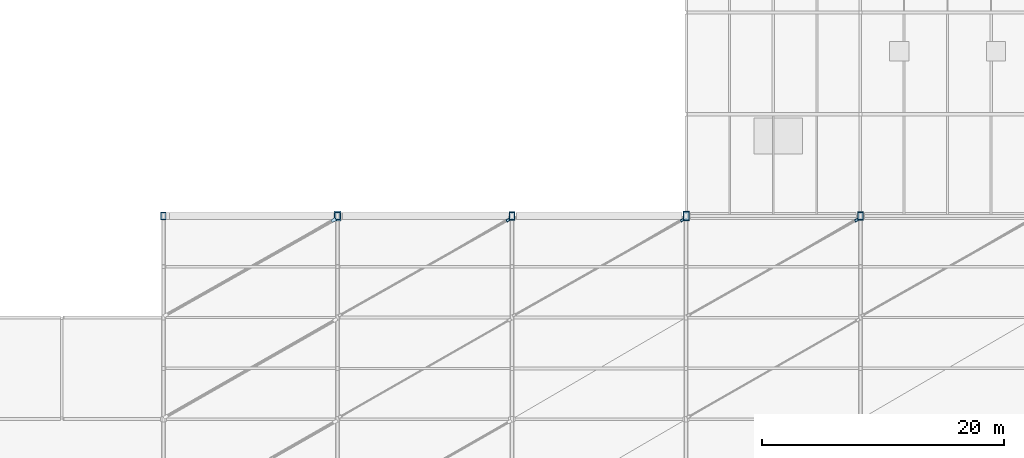
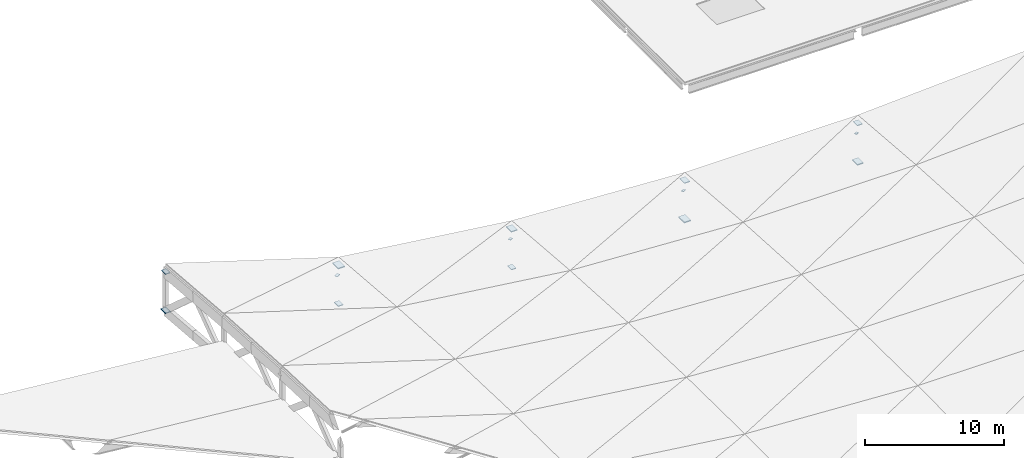
# One storey, part 18 of 22: 14 plates.
"""IFC4 building model written with IfcOpenShell, lengths in metres."""

import ifcopenshell
import ifcopenshell.guid

model = None  # the IFC model being written
_history = None  # IfcOwnerHistory: only IFC2X3 demands one
_inside = {}  # id of a spatial element -> (the spatial element, [elements in it])
_under = {}  # id of a project, library or spatial element -> (it, [spatial elements below it])
_declared = {}  # id of a project -> (the project, [libraries it declares])
_typed = {}  # id of a type object -> (the type object, [elements of that type])
_made_of = {}  # id of a material, layer set ... -> (it, [elements and type objects made of it])


def new_model(schema):
    """Start an empty IFC model of exactly this schema.

    Asked for "IFC4X3", IfcOpenShell would pick the latest addendum, in which some entities
    have other attributes; the version numbers below select the first issue.
    IFC2X3 requires an IfcOwnerHistory on every rooted entity: one is made here for all.
    """
    global model, _history
    if schema == "IFC4X3":
        model = ifcopenshell.file(schema_version=(4, 3, 0, 0))
    else:
        model = ifcopenshell.file(schema=schema)
    _inside.clear()
    _under.clear()
    _declared.clear()
    _typed.clear()
    _made_of.clear()
    _history = None
    if model.schema == "IFC2X3":
        org = make("IfcOrganization", Name="unknown")
        user = make(
            "IfcPersonAndOrganization",
            ThePerson=make("IfcPerson", FamilyName="unknown"),
            TheOrganization=org,
        )
        app = make(
            "IfcApplication",
            ApplicationDeveloper=org,
            Version="unknown",
            ApplicationFullName="unknown",
            ApplicationIdentifier="unknown",
        )
        _history = make(
            "IfcOwnerHistory",
            OwningUser=user,
            OwningApplication=app,
            ChangeAction="ADDED",
            CreationDate=0,
        )
    return model


def make(cls, **values):
    """One entity of the class cls with the attributes given. An attribute that is None is left unset."""
    return model.create_entity(
        cls, **{name: value for name, value in values.items() if value is not None}
    )


def rooted(cls, **values):
    """An entity with a GlobalId (a new one), such as an element, a storey or a relation."""
    return make(cls, GlobalId=ifcopenshell.guid.new(), OwnerHistory=_history, **values)


def si_unit(unit_type, name, prefix=None):
    """IfcSIUnit, for example si_unit("LENGTHUNIT", "METRE", prefix="MILLI")."""
    return make("IfcSIUnit", UnitType=unit_type, Prefix=prefix, Name=name)


def assignment(units):
    """IfcUnitAssignment: the units of a project."""
    return None if units is None else make("IfcUnitAssignment", Units=units)


def point(xyz):
    """IfcCartesianPoint."""
    return None if xyz is None else make("IfcCartesianPoint", Coordinates=xyz)


def direction(xyz):
    """IfcDirection."""
    return None if xyz is None else make("IfcDirection", DirectionRatios=xyz)


def frame(location, z_axis=None, x_axis=None):
    """IfcAxis2Placement3D, a coordinate frame: its origin and axes. An axis left out is left unset."""
    return make(
        "IfcAxis2Placement3D",
        Location=point(location),
        Axis=direction(z_axis),
        RefDirection=direction(x_axis),
    )


def frame_2d(location, x_axis=None):
    """IfcAxis2Placement2D, a coordinate frame in the plane: its origin and x axis."""
    return make(
        "IfcAxis2Placement2D", Location=point(location), RefDirection=direction(x_axis)
    )


def origin():
    """The frame at (0, 0, 0) with its axes left unset."""
    return frame((0.0, 0.0, 0.0))


def origin_2d():
    """The frame at (0, 0) in the plane with its x axis left unset."""
    return frame_2d((0.0, 0.0))


def place(relative_to, where):
    """IfcLocalPlacement: puts the frame where relative to a parent placement (None: the world)."""
    return make(
        "IfcLocalPlacement", PlacementRelTo=relative_to, RelativePlacement=where
    )


def context(
    kind, dimensions, precision=None, world=None, true_north=None, identifier=None
):
    """IfcGeometricRepresentationContext, for example the 3D "Model" context."""
    return make(
        "IfcGeometricRepresentationContext",
        ContextIdentifier=identifier,
        ContextType=kind,
        CoordinateSpaceDimension=dimensions,
        Precision=precision,
        WorldCoordinateSystem=world,
        TrueNorth=true_north,
    )


def subcontext(parent, identifier, kind, view, scale=None):
    """IfcGeometricRepresentationSubContext, for example "Body" below "Model"."""
    return make(
        "IfcGeometricRepresentationSubContext",
        ContextIdentifier=identifier,
        ContextType=kind,
        ParentContext=parent,
        TargetScale=scale,
        TargetView=view,
    )


def project(units=None, contexts=None):
    """IfcProject with its units and contexts."""
    return rooted(
        "IfcProject",
        Name="project",
        RepresentationContexts=contexts,
        UnitsInContext=assignment(units),
    )


def spatial(cls, under=None, at=None, **own):
    """A site, building, storey or space (cls), placed at a placement, below another one or the project."""
    s = rooted(cls, ObjectPlacement=at, **own)
    if under is not None:
        _under.setdefault(under.id(), (under, []))[1].append(s)
    return s


def profile(cls, at=None, kind="AREA", **sizes):
    """A parametric profile (cls). Its sizes go by their IFC names, for example OverallWidth=200.0."""
    return make(cls, ProfileType=kind, Position=at, **sizes)


def rectangle(**sizes):
    """IfcRectangleProfileDef."""
    return profile("IfcRectangleProfileDef", **sizes)


def extrude(swept, where, along, depth):
    """IfcExtrudedAreaSolid: the profile swept, set in the frame where, extruded along a direction by depth."""
    return make(
        "IfcExtrudedAreaSolid",
        SweptArea=swept,
        Position=where,
        ExtrudedDirection=direction(along),
        Depth=depth,
    )


def shape(context_of_items, identifier, shape_type, items):
    """IfcShapeRepresentation: the items that make up one representation, for example the "Body"."""
    return make(
        "IfcShapeRepresentation",
        ContextOfItems=context_of_items,
        RepresentationIdentifier=identifier,
        RepresentationType=shape_type,
        Items=items,
    )


def material(Name=None, Category=None):
    """IfcMaterial."""
    return make("IfcMaterial", Name=Name, Category=Category)


def layer(
    of_material, thickness, ventilated=None, Name=None, Category=None, Priority=None
):
    """IfcMaterialLayer: one layer of a wall or slab, of a material (None: an air gap)."""
    return make(
        "IfcMaterialLayer",
        Material=of_material,
        LayerThickness=thickness,
        IsVentilated=ventilated,
        Name=Name,
        Category=Category,
        Priority=Priority,
    )


def layer_set(layers, Name=None):
    """IfcMaterialLayerSet."""
    return make("IfcMaterialLayerSet", MaterialLayers=layers, LayerSetName=Name)


def made_of(thing, what):
    """Note that an element or type object is made of a material, layer set ...; save() writes the relation."""
    if what is not None:
        _made_of.setdefault(what.id(), (what, []))[1].append(thing)
    return thing


def type_object(cls, material=None, **own):
    """A type object (cls), such as IfcWallType, which elements share."""
    return made_of(rooted(cls, **own), material)


def element(
    cls,
    number,
    at=None,
    inside=None,
    cuts=None,
    type_object=None,
    material=None,
    context=None,
    identifier="Body",
    shape_type=None,
    held_by="IfcProductDefinitionShape",
    body=None,
    shapes=None,
    **own,
):
    """One element of the class cls, such as IfcWall. Its Tag is "e" and its number.

    at: its placement. inside: the storey or other place that contains it. cuts: it is an
    opening in that element (IfcRelVoidsElement). A single representation is given by context,
    identifier, shape_type and body (its items); several are given by shapes. held_by: the class
    of the entity that holds the representations. save() writes the other relations.
    """
    e = rooted(cls, Tag="e%d" % number, ObjectPlacement=at, **own)
    if body is not None:
        shapes = [shape(context, identifier, shape_type, body)]
    if shapes is not None:
        e.Representation = make(held_by, Representations=shapes)
    if inside is not None:
        _inside.setdefault(inside.id(), (inside, []))[1].append(e)
    if cuts is not None:
        rooted(
            "IfcRelVoidsElement", RelatingBuildingElement=cuts, RelatedOpeningElement=e
        )
    if type_object is not None:
        _typed.setdefault(type_object.id(), (type_object, []))[1].append(e)
    return made_of(e, material)


def aggregate(whole, parts):
    """IfcRelAggregates: a whole, such as a stair, and the parts it consists of."""
    return rooted("IfcRelAggregates", RelatingObject=whole, RelatedObjects=parts)


def save(model, path):
    """Write the relations noted so far, then the file.

    IfcRelAggregates (storeys below a building ...), IfcRelContainedInSpatialStructure (elements
    in a storey), IfcRelDefinesByType, IfcRelAssociatesMaterial and IfcRelDeclares: one each for
    every whole, place, type object, material and project.
    """
    for whole, parts in _under.values():
        aggregate(whole, parts)
    for where, things in _inside.values():
        rooted(
            "IfcRelContainedInSpatialStructure",
            RelatedElements=things,
            RelatingStructure=where,
        )
    for kind, things in _typed.values():
        rooted("IfcRelDefinesByType", RelatedObjects=things, RelatingType=kind)
    for what, things in _made_of.values():
        rooted("IfcRelAssociatesMaterial", RelatedObjects=things, RelatingMaterial=what)
    for by, libraries in _declared.values():
        rooted("IfcRelDeclares", RelatingContext=by, RelatedDefinitions=libraries)
    model.write(path)


model = new_model("IFC4")

# Units and contexts
model_context = context("Model", 3, precision=1e-05, world=origin(), true_north=direction((0.0, 1.0)))
body_context = subcontext(model_context, "Body", "Model", "MODEL_VIEW")
ifc_project = project(units=[si_unit("LENGTHUNIT", "METRE"), si_unit("AREAUNIT", "SQUARE_METRE"), si_unit("VOLUMEUNIT", "CUBIC_METRE"), si_unit("PLANEANGLEUNIT", "RADIAN"), si_unit("MASSUNIT", "GRAM", prefix="KILO"), si_unit("THERMODYNAMICTEMPERATUREUNIT", "KELVIN")], contexts=[model_context])

# Site, building, storey
site_placement = place(None, origin())
site = spatial("IfcSite", under=ifc_project, at=site_placement, CompositionType="ELEMENT")
building_placement = place(site_placement, origin())
building = spatial("IfcBuilding", under=site, at=building_placement, Name="Nduvali Passage Aquatics Centre", CompositionType="ELEMENT")
storey_placement = place(building_placement, frame((0.0, 0.0, 21.60009765625)))
storey = spatial("IfcBuildingStorey", under=building, at=storey_placement, Name="RF", CompositionType="ELEMENT", Elevation=21.60009765625)

# Plates
ifc_material = material(Name="Steel S355", Category="steel")
ifc_layer_1 = layer(ifc_material, 0.010009765625, Name="Steel S355")
ifc_layer_set_1 = layer_set([ifc_layer_1], Name="Steel S355")
plate_type_1 = type_object("IfcPlateType", Name="STR-PLT-CAP2", PredefinedType="SHEET", material=ifc_layer_set_1)
for number, where, z_axis, x_axis, name in (
    (1, (53.679931640625, 92.050048828125, -8.34130859375), (0.0, 0.0, 1.0), (0.866025403784, 0.5, 0.0), "Roof Brace End-Cap Gusset Plate 0088"),
    (2, (68.080078125, 92.050048828125, -9.1328125), (0.0, 0.0, 1.0), (0.866025403784, 0.5, 0.0), "Roof Brace End-Cap Gusset Plate 0096"),
    (3, (82.47998046875, 92.050048828125, -9.1328125), (0.0, 0.0, 1.0), (0.866025403784, 0.5, 0.0), "Roof Brace End-Cap Gusset Plate 0112"),
):
    element("IfcPlate", number, at=place(storey_placement, frame(where, z_axis=z_axis, x_axis=x_axis)), inside=storey, type_object=plate_type_1, Name=name, PredefinedType="SHEET", context=body_context, shape_type="SweptSolid", body=[
        extrude(rectangle(XDim=0.280029296875, YDim=0.199951171875, at=origin_2d()), origin(), (0.0, 0.0, 1.0), 0.010009765625),
    ])
ifc_layer_2 = layer(ifc_material, 0.02490234375, Name="Steel S355")
ifc_layer_set_2 = layer_set([ifc_layer_2], Name="Steel S355")
plate_type_2 = type_object("IfcPlateType", Name="STR-PLT-CAP3", PredefinedType="SHEET", material=ifc_layer_set_2)
plate_placement = place(storey_placement, frame((39.280029296875, 92.050048828125, -6.51318359375), z_axis=(0.0, 0.0, 1.0), x_axis=(0.866025403784, 0.5, 0.0)))
element("IfcPlate", 4, at=plate_placement, inside=storey, type_object=plate_type_2, Name="Roof Brace End-Cap Gusset Plate 0072", PredefinedType="SHEET", context=body_context, shape_type="SweptSolid", body=[
    extrude(rectangle(XDim=0.3798828125, YDim=0.260009765625, at=origin_2d()), origin(), (0.0, 0.0, 1.0), 0.02490234375),
])
ifc_layer_3 = layer(ifc_material, 0.080078125, Name="Steel S355")
ifc_layer_set_3 = layer_set([ifc_layer_3], Name="Steel S355")
plate_type_3 = type_object("IfcPlateType", Name="STR-PLT-GN1", PredefinedType="SHEET", material=ifc_layer_set_3)
for number, where, z_axis, x_axis, name in (
    (5, (54.0, 92.39990234375, -7.798583984375), (0.0, 0.0, 1.0), (0.0, 1.0, 0.0), "Glulam Arch Pinned Steel Shoe Node GN1 Rib 3"),
    (6, (82.800048828125, 92.39990234375, -11.98974609375), (0.0, 0.0, 1.0), (0.0, 1.0, 0.0), "Glulam Arch Pinned Steel Shoe Node GN1 Rib 5"),
):
    element("IfcPlate", number, at=place(storey_placement, frame(where, z_axis=z_axis, x_axis=x_axis)), inside=storey, type_object=plate_type_3, Name=name, PredefinedType="SHEET", context=body_context, shape_type="SweptSolid", body=[
        extrude(rectangle(XDim=0.75, YDim=0.5, at=origin_2d()), origin(), (0.0, 0.0, 1.0), 0.080078125),
    ])
ifc_layer_4 = layer(ifc_material, 0.070068359375, Name="Steel S355")
ifc_layer_set_4 = layer_set([ifc_layer_4], Name="Steel S355")
plate_type_4 = type_object("IfcPlateType", Name="STR-PLT-GN2", PredefinedType="SHEET", material=ifc_layer_set_4)
for number, where, z_axis, x_axis, name in (
    (7, (25.199951171875, 92.39990234375, -4.9091796875), (0.0, 0.0, 1.0), (0.0, 1.0, 0.0), "Glulam Arch Pinned Steel Shoe Node GN2 Rib 1"),
    (8, (68.39990234375, 92.39990234375, -8.58447265625), (0.0, 0.0, 1.0), (0.0, 1.0, 0.0), "Glulam Arch Pinned Steel Shoe Node GN2 Rib 4"),
):
    element("IfcPlate", number, at=place(storey_placement, frame(where, z_axis=z_axis, x_axis=x_axis)), inside=storey, type_object=plate_type_4, Name=name, PredefinedType="SHEET", context=body_context, shape_type="SweptSolid", body=[
        extrude(rectangle(XDim=0.679931640625, YDim=0.4599609375, at=origin_2d()), origin(), (0.0, 0.0, 1.0), 0.070068359375),
    ])
ifc_layer_5 = layer(ifc_material, 0.06005859375, Name="Steel S355")
ifc_layer_set_5 = layer_set([ifc_layer_5], Name="Steel S355")
plate_type_5 = type_object("IfcPlateType", Name="STR-PLT-GN3", PredefinedType="SHEET", material=ifc_layer_set_5)
for number, where, z_axis, x_axis, name in (
    (9, (39.60009765625, 92.39990234375, -9.352783203125), (0.0, 0.0, 1.0), (0.0, 1.0, 0.0), "Glulam Arch Pinned Steel Shoe Node GN3 Rib 2"),
    (10, (82.800048828125, 92.39990234375, -8.57958984375), (0.0, 0.0, 1.0), (0.0, 1.0, 0.0), "Glulam Arch Pinned Steel Shoe Node GN3 Rib 5"),
):
    element("IfcPlate", number, at=place(storey_placement, frame(where, z_axis=z_axis, x_axis=x_axis)), inside=storey, type_object=plate_type_5, Name=name, PredefinedType="SHEET", context=body_context, shape_type="SweptSolid", body=[
        extrude(rectangle(XDim=0.60009765625, YDim=0.419921875, at=origin_2d()), origin(), (0.0, 0.0, 1.0), 0.06005859375),
    ])
ifc_layer_6 = layer(ifc_material, 0.090087890625, Name="Steel S355")
ifc_layer_set_6 = layer_set([ifc_layer_6], Name="Steel S355")
plate_type_6 = type_object("IfcPlateType", Name="STR-PLT-GN7", PredefinedType="SHEET", material=ifc_layer_set_6)
for number, where, z_axis, x_axis, name in (
    (11, (39.60009765625, 92.39990234375, -5.9677734375), (0.0, 0.0, 1.0), (0.0, 1.0, 0.0), "Glulam Arch Pinned Steel Shoe Node GN7 Rib 2"),
    (12, (68.39990234375, 92.39990234375, -11.99462890625), (0.0, 0.0, 1.0), (0.0, 1.0, 0.0), "Glulam Arch Pinned Steel Shoe Node GN7 Rib 4"),
):
    element("IfcPlate", number, at=place(storey_placement, frame(where, z_axis=z_axis, x_axis=x_axis)), inside=storey, type_object=plate_type_6, Name=name, PredefinedType="SHEET", context=body_context, shape_type="SweptSolid", body=[
        extrude(rectangle(XDim=0.820068359375, YDim=0.56005859375, at=origin_2d()), origin(), (0.0, 0.0, 1.0), 0.090087890625),
    ])
ifc_layer_7 = layer(ifc_material, 0.050048828125, Name="Steel S355")
ifc_layer_set_7 = layer_set([ifc_layer_7], Name="Steel S355")
plate_type_7 = type_object("IfcPlateType", Name="STR-PLT-GN8", PredefinedType="SHEET", material=ifc_layer_set_7)
for number, where, z_axis, x_axis, name in (
    (13, (25.199951171875, 92.39990234375, -1.4990234375), (0.0, 0.0, 1.0), (0.0, 1.0, 0.0), "Glulam Arch Pinned Steel Shoe Node GN8 Rib 1"),
    (14, (54.0, 92.39990234375, -11.18359375), (0.0, 0.0, 1.0), (0.0, 1.0, 0.0), "Glulam Arch Pinned Steel Shoe Node GN8 Rib 3"),
):
    element("IfcPlate", number, at=place(storey_placement, frame(where, z_axis=z_axis, x_axis=x_axis)), inside=storey, type_object=plate_type_7, Name=name, PredefinedType="SHEET", context=body_context, shape_type="SweptSolid", body=[
        extrude(rectangle(XDim=0.580078125, YDim=0.39990234375, at=origin_2d()), origin(), (0.0, 0.0, 1.0), 0.050048828125),
    ])

save(model, "model.ifc")
